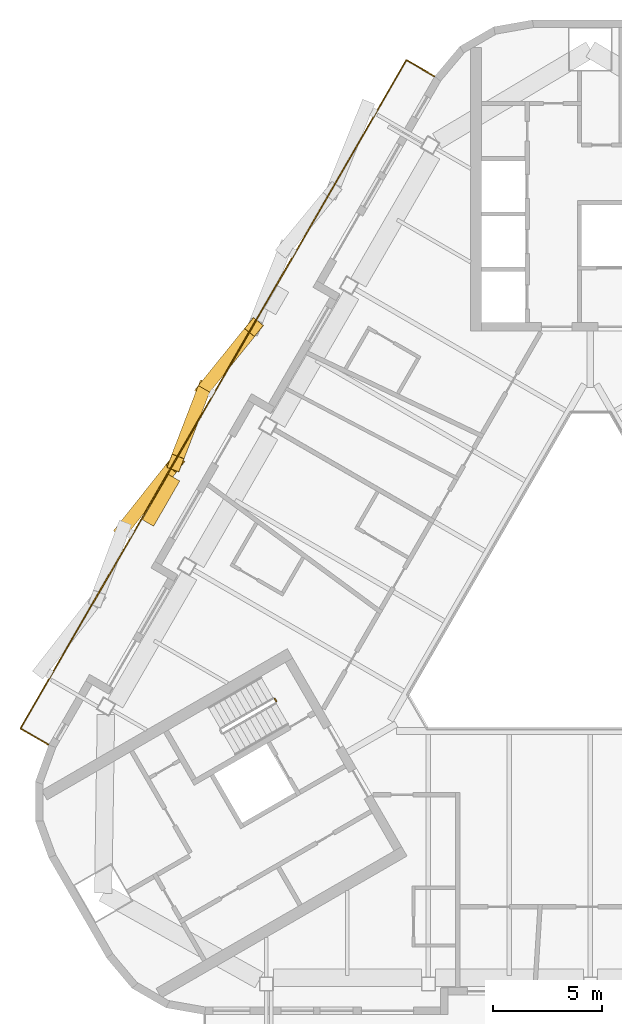
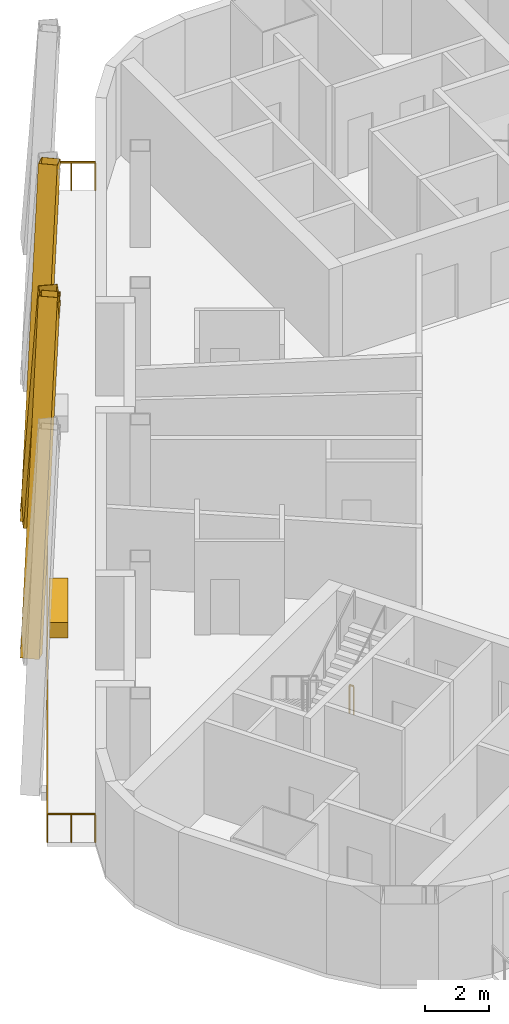
# One storey, part 11 of 14: 3 shading devices, 2 railings, 1 covering.
"""IFC4 building model written with IfcOpenShell, lengths in metres."""

from ifc_helpers import new_model, si_unit, direction, frame, origin, origin_2d, place, context, subcontext, project, spatial, rectangle, hollow_rectangle, extrude, material, material_profile, profile_set, type_object, element, save


model = new_model("IFC4")

# Units and contexts
model_context = context("Model", 3, precision=1e-05, world=origin(), true_north=direction((0.0, 1.0)))
body_context = subcontext(model_context, "Body", "Model", "MODEL_VIEW")
ifc_project = project(units=[si_unit("LENGTHUNIT", "METRE"), si_unit("AREAUNIT", "SQUARE_METRE"), si_unit("VOLUMEUNIT", "CUBIC_METRE"), si_unit("PLANEANGLEUNIT", "RADIAN"), si_unit("MASSUNIT", "GRAM", prefix="KILO")], contexts=[model_context])

# Site, building, storey
site_placement = place(None, origin())
site = spatial("IfcSite", under=ifc_project, at=site_placement, CompositionType="ELEMENT")
building_placement = place(site_placement, origin())
building = spatial("IfcBuilding", under=site, at=building_placement, Name="Apuvela Tower Hotel", CompositionType="ELEMENT")
storey_placement = place(building_placement, frame((0.0, 0.0, 268.89990234375)))
storey = spatial("IfcBuildingStorey", under=building, at=storey_placement, Name="L66", CompositionType="ELEMENT", Elevation=268.89990234375)

# Railing
ifc_material_1 = material(Name="Steel S275 balustrade", Category="steel")
railing_type_1 = type_object("IfcRailingType", Name="COR-GUARD-1100", PredefinedType="GUARDRAIL", material=ifc_material_1)
railing_1_placement = place(storey_placement, frame((-14.500732421875, -3.984130859375, 0.0)))
element("IfcRailing", 1, at=railing_1_placement, inside=storey, type_object=railing_type_1, Name="L66 ST2 stair guard 4", PredefinedType="GUARDRAIL", context=body_context, shape_type="SweptSolid", body=[
    extrude(rectangle(XDim=0.048095703125, YDim=0.048095703125, at=origin_2d()), frame((0.0, 0.0, 1.076171875), z_axis=(0.499816412211, -0.866131372301, 0.0), x_axis=(0.866131372301, 0.499816412211, 0.0)), (0.0, 0.0, 1.0), 0.14990234375),
    extrude(rectangle(XDim=0.0419921875, YDim=0.0419921875, at=origin_2d()), origin(), (0.0, 0.0, 1.0), 1.052001953125),
    extrude(rectangle(XDim=0.0419921875, YDim=0.0419921875, at=origin_2d()), frame((0.074951171875, -0.1298828125, 0.0)), (0.0, 0.0, 1.0), 1.052001953125),
])

# Shading devices
ifc_material_2 = material(Name="Aluminium 6063-T6, black anodised", Category="aluminium")
ifc_material_profile = material_profile(ifc_material_2, hollow_rectangle(XDim=0.60009765625, YDim=0.699951171875, WallThickness=0.011962890625, at=origin_2d()), Name="AL BOX 700x600x12")
ifc_profile_set = profile_set([ifc_material_profile], Name="Aluminium 6063-T6, black anodised")
shading_device_type = type_object("IfcShadingDeviceType", Name="ENV-FIN-700x600", PredefinedType="USERDEFINED", material=ifc_profile_set)
shading_device_1_placement = place(storey_placement, frame((-17.75, 10.247802734375, -0.099853515625), z_axis=(0.196395762307, 0.243112881936, 0.949907801413), x_axis=(-0.777885876447, 0.628405572242, 0.0)))
element("IfcShadingDevice", 2, at=shading_device_1_placement, inside=storey, type_object=shading_device_type, Name="Lattice fin NW612", ObjectType="FIN", PredefinedType="USERDEFINED", context=body_context, shape_type="SweptSolid", body=[
    extrude(hollow_rectangle(XDim=0.60009765625, YDim=0.699951171875, WallThickness=0.011962890625, at=origin_2d()), origin(), (0.0, 0.0, 1.0), 11.685302734375),
])
shading_device_2_placement = place(storey_placement, frame((-17.75, 10.247802734375, -0.099853515625), z_axis=(-0.112322381193, -0.291628682419, 0.94991388782), x_axis=(0.93317663974, -0.359418083912, 0.0)))
element("IfcShadingDevice", 3, at=shading_device_2_placement, inside=storey, type_object=shading_device_type, Name="Lattice fin NW613", ObjectType="FIN", PredefinedType="USERDEFINED", context=body_context, shape_type="SweptSolid", body=[
    extrude(hollow_rectangle(XDim=0.60009765625, YDim=0.699951171875, WallThickness=0.011962890625, at=origin_2d()), origin(), (0.0, 0.0, 1.0), 11.68505859375),
])
shading_device_3_placement = place(storey_placement, frame((-21.4716796875, 3.801513671875, -0.099853515625), z_axis=(0.204902056473, 0.258432407262, 0.944048641824), x_axis=(-0.783588570734, 0.621280091275, 0.0)))
element("IfcShadingDevice", 4, at=shading_device_3_placement, inside=storey, type_object=shading_device_type, Name="Lattice fin NW614", ObjectType="FIN", PredefinedType="USERDEFINED", context=body_context, shape_type="SweptSolid", body=[
    extrude(hollow_rectangle(XDim=0.60009765625, YDim=0.699951171875, WallThickness=0.011962890625, at=origin_2d()), origin(), (0.0, 0.0, 1.0), 11.7578125),
])

# Railing
ifc_material_3 = material(Name="Stainless steel 316 rail with laminated glass infill", Category="steel")
railing_type_2 = type_object("IfcRailingType", Name="ENV-GUARD-1100", PredefinedType="GUARDRAIL", material=ifc_material_3)
railing_2_placement = place(storey_placement, frame((-7.153564453125, 24.601318359375, 0.0)))
element("IfcRailing", 5, at=railing_2_placement, inside=storey, type_object=railing_type_2, Name="Balcony guard NW L66", PredefinedType="GUARDRAIL", context=body_context, shape_type="SweptSolid", body=[
    extrude(rectangle(XDim=0.050048828125, YDim=0.050048828125, at=origin_2d()), frame((0.0, 0.0, 1.0751953125), z_axis=(-0.86599040064, 0.500060622324, 0.0), x_axis=(-0.500060622324, -0.86599040064, 0.0)), (0.0, 0.0, 1.0), 1.499755859375),
    extrude(rectangle(XDim=0.050048828125, YDim=0.050048828125, at=origin_2d()), frame((-1.298828125, 0.75, 1.0751953125), z_axis=(-0.500000994306, -0.866024829721, 0.0), x_axis=(0.866024829721, -0.500000994306, 0.0)), (0.0, 0.0, 1.0), 35.45751953125),
    extrude(rectangle(XDim=0.050048828125, YDim=0.050048828125, at=origin_2d()), frame((-19.027587890625, -29.95703125, 1.0751953125), z_axis=(0.866031096941, -0.499990139034, 0.0), x_axis=(0.499990139034, 0.866031096941, 0.0)), (0.0, 0.0, 1.0), 1.5),
    extrude(rectangle(XDim=0.0400390625, YDim=0.0400390625, at=origin_2d()), origin(), (0.0, 0.0, 1.0), 1.050048828125),
    extrude(rectangle(XDim=0.0400390625, YDim=0.0400390625, at=origin_2d()), frame((-0.6494140625, 0.375, 0.0)), (0.0, 0.0, 1.0), 1.050048828125),
    extrude(rectangle(XDim=0.0400390625, YDim=0.0400390625, at=origin_2d()), frame((-1.298828125, 0.75, 0.0)), (0.0, 0.0, 1.0), 1.050048828125),
    extrude(rectangle(XDim=0.0400390625, YDim=0.0400390625, at=origin_2d()), frame((-1.889892578125, -0.273681640625, 0.0)), (0.0, 0.0, 1.0), 1.050048828125),
    extrude(rectangle(XDim=0.0400390625, YDim=0.0400390625, at=origin_2d()), frame((-2.480712890625, -1.297119140625, 0.0)), (0.0, 0.0, 1.0), 1.050048828125),
    extrude(rectangle(XDim=0.0400390625, YDim=0.0400390625, at=origin_2d()), frame((-3.07177734375, -2.32080078125, 0.0)), (0.0, 0.0, 1.0), 1.050048828125),
    extrude(rectangle(XDim=0.0400390625, YDim=0.0400390625, at=origin_2d()), frame((-3.66259765625, -3.34423828125, 0.0)), (0.0, 0.0, 1.0), 1.050048828125),
    extrude(rectangle(XDim=0.0400390625, YDim=0.0400390625, at=origin_2d()), frame((-4.253662109375, -4.367919921875, 0.0)), (0.0, 0.0, 1.0), 1.050048828125),
    extrude(rectangle(XDim=0.0400390625, YDim=0.0400390625, at=origin_2d()), frame((-4.844482421875, -5.391357421875, 0.0)), (0.0, 0.0, 1.0), 1.050048828125),
    extrude(rectangle(XDim=0.0400390625, YDim=0.0400390625, at=origin_2d()), frame((-5.435546875, -6.4150390625, 0.0)), (0.0, 0.0, 1.0), 1.050048828125),
    extrude(rectangle(XDim=0.0400390625, YDim=0.0400390625, at=origin_2d()), frame((-6.026611328125, -7.4384765625, 0.0)), (0.0, 0.0, 1.0), 1.050048828125),
    extrude(rectangle(XDim=0.0400390625, YDim=0.0400390625, at=origin_2d()), frame((-6.617431640625, -8.462158203125, 0.0)), (0.0, 0.0, 1.0), 1.050048828125),
    extrude(rectangle(XDim=0.0400390625, YDim=0.0400390625, at=origin_2d()), frame((-7.20849609375, -9.485595703125, 0.0)), (0.0, 0.0, 1.0), 1.050048828125),
    extrude(rectangle(XDim=0.0400390625, YDim=0.0400390625, at=origin_2d()), frame((-7.79931640625, -10.50927734375, 0.0)), (0.0, 0.0, 1.0), 1.050048828125),
    extrude(rectangle(XDim=0.0400390625, YDim=0.0400390625, at=origin_2d()), frame((-8.390380859375, -11.53271484375, 0.0)), (0.0, 0.0, 1.0), 1.050048828125),
    extrude(rectangle(XDim=0.0400390625, YDim=0.0400390625, at=origin_2d()), frame((-8.981201171875, -12.556396484375, 0.0)), (0.0, 0.0, 1.0), 1.050048828125),
    extrude(rectangle(XDim=0.0400390625, YDim=0.0400390625, at=origin_2d()), frame((-9.572265625, -13.579833984375, 0.0)), (0.0, 0.0, 1.0), 1.050048828125),
    extrude(rectangle(XDim=0.0400390625, YDim=0.0400390625, at=origin_2d()), frame((-10.1630859375, -14.603515625, 0.0)), (0.0, 0.0, 1.0), 1.050048828125),
    extrude(rectangle(XDim=0.0400390625, YDim=0.0400390625, at=origin_2d()), frame((-10.754150390625, -15.627197265625, 0.0)), (0.0, 0.0, 1.0), 1.050048828125),
    extrude(rectangle(XDim=0.0400390625, YDim=0.0400390625, at=origin_2d()), frame((-11.34521484375, -16.650634765625, 0.0)), (0.0, 0.0, 1.0), 1.050048828125),
    extrude(rectangle(XDim=0.0400390625, YDim=0.0400390625, at=origin_2d()), frame((-11.93603515625, -17.67431640625, 0.0)), (0.0, 0.0, 1.0), 1.050048828125),
    extrude(rectangle(XDim=0.0400390625, YDim=0.0400390625, at=origin_2d()), frame((-12.527099609375, -18.69775390625, 0.0)), (0.0, 0.0, 1.0), 1.050048828125),
    extrude(rectangle(XDim=0.0400390625, YDim=0.0400390625, at=origin_2d()), frame((-13.117919921875, -19.721435546875, 0.0)), (0.0, 0.0, 1.0), 1.050048828125),
    extrude(rectangle(XDim=0.0400390625, YDim=0.0400390625, at=origin_2d()), frame((-13.708984375, -20.744873046875, 0.0)), (0.0, 0.0, 1.0), 1.050048828125),
    extrude(rectangle(XDim=0.0400390625, YDim=0.0400390625, at=origin_2d()), frame((-14.2998046875, -21.7685546875, 0.0)), (0.0, 0.0, 1.0), 1.050048828125),
    extrude(rectangle(XDim=0.0400390625, YDim=0.0400390625, at=origin_2d()), frame((-14.890869140625, -22.7919921875, 0.0)), (0.0, 0.0, 1.0), 1.050048828125),
    extrude(rectangle(XDim=0.0400390625, YDim=0.0400390625, at=origin_2d()), frame((-15.48193359375, -23.815673828125, 0.0)), (0.0, 0.0, 1.0), 1.050048828125),
    extrude(rectangle(XDim=0.0400390625, YDim=0.0400390625, at=origin_2d()), frame((-16.07275390625, -24.839111328125, 0.0)), (0.0, 0.0, 1.0), 1.050048828125),
    extrude(rectangle(XDim=0.0400390625, YDim=0.0400390625, at=origin_2d()), frame((-16.663818359375, -25.86279296875, 0.0)), (0.0, 0.0, 1.0), 1.050048828125),
    extrude(rectangle(XDim=0.0400390625, YDim=0.0400390625, at=origin_2d()), frame((-17.254638671875, -26.88623046875, 0.0)), (0.0, 0.0, 1.0), 1.050048828125),
    extrude(rectangle(XDim=0.0400390625, YDim=0.0400390625, at=origin_2d()), frame((-17.845703125, -27.909912109375, 0.0)), (0.0, 0.0, 1.0), 1.050048828125),
    extrude(rectangle(XDim=0.0400390625, YDim=0.0400390625, at=origin_2d()), frame((-18.4365234375, -28.933349609375, 0.0)), (0.0, 0.0, 1.0), 1.050048828125),
    extrude(rectangle(XDim=0.0400390625, YDim=0.0400390625, at=origin_2d()), frame((-19.027587890625, -29.95703125, 0.0)), (0.0, 0.0, 1.0), 1.050048828125),
    extrude(rectangle(XDim=0.0400390625, YDim=0.0400390625, at=origin_2d()), frame((-18.3779296875, -30.33203125, 0.0)), (0.0, 0.0, 1.0), 1.050048828125),
    extrude(rectangle(XDim=0.0400390625, YDim=0.0400390625, at=origin_2d()), frame((-17.728515625, -30.70703125, 0.0)), (0.0, 0.0, 1.0), 1.050048828125),
])

# Covering
ifc_material_4 = material(Name="Planting substrate and soil, planted")
covering_type = type_object("IfcCoveringType", Name="ENV-PLANTER-2400x600", PredefinedType="USERDEFINED", material=ifc_material_4)
covering_placement = place(storey_placement, frame((-19.72509765625, 5.126953125, 0.0), z_axis=(0.0, 0.0, 1.0), x_axis=(-0.5, -0.866025403784, 0.0)))
element("IfcCovering", 6, at=covering_placement, inside=storey, type_object=covering_type, Name="Planter NW6", ObjectType="PLANTER", PredefinedType="USERDEFINED", context=body_context, shape_type="SweptSolid", body=[
    extrude(rectangle(XDim=2.39990234375, YDim=0.60009765625, at=origin_2d()), origin(), (0.0, 0.0, 1.0), 0.60009765625),
])

save(model, "model.ifc")
